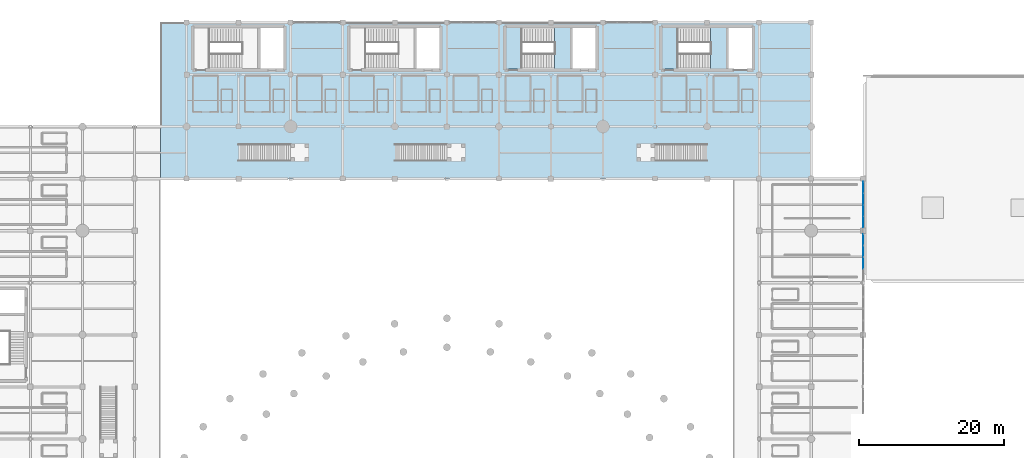
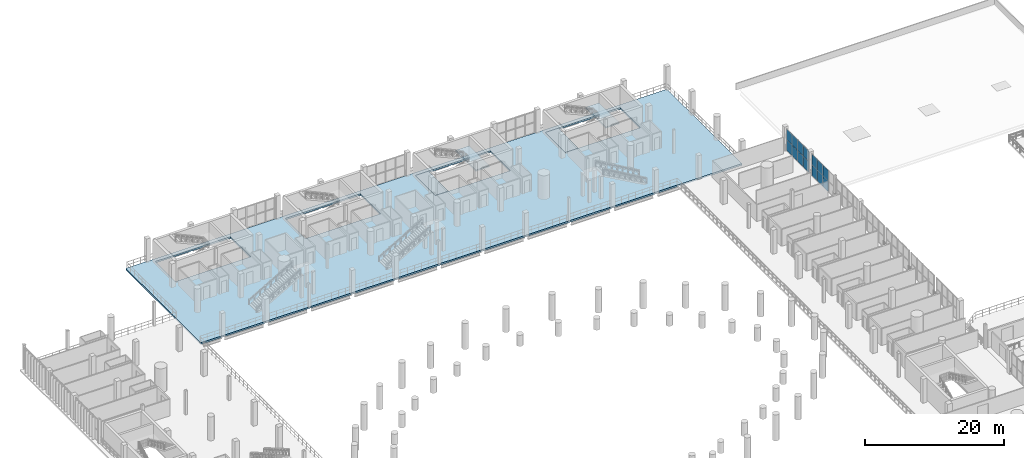
# One storey, part 95 of 130: 14 plates, 5 slabs, 4 elements without a shape of their own.
"""IFC4 building model written with IfcOpenShell, lengths in metres."""

from ifc_helpers import new_model, si_unit, direction, frame, origin, origin_2d, place, context, subcontext, project, spatial, polyline, rectangle, outline, extrude, material, layer, layer_set, type_object, element, aggregate, save


model = new_model("IFC4")

# Units and contexts
model_context = context("Model", 3, precision=1e-05, world=origin(), true_north=direction((0.0, 1.0)))
body_context = subcontext(model_context, "Body", "Model", "MODEL_VIEW")
ifc_project = project(units=[si_unit("LENGTHUNIT", "METRE"), si_unit("AREAUNIT", "SQUARE_METRE"), si_unit("VOLUMEUNIT", "CUBIC_METRE"), si_unit("PLANEANGLEUNIT", "RADIAN"), si_unit("MASSUNIT", "GRAM", prefix="KILO")], contexts=[model_context])

# Site, building, storey
site_placement = place(None, origin())
site = spatial("IfcSite", under=ifc_project, at=site_placement, CompositionType="ELEMENT")
building_placement = place(site_placement, origin())
building = spatial("IfcBuilding", under=site, at=building_placement, Name="Qandorah Velis Arena", CompositionType="ELEMENT")
storey_placement = place(building_placement, frame((0.0, 0.0, 9.60009765625)))
storey = spatial("IfcBuildingStorey", under=building, at=storey_placement, Name="L02", CompositionType="ELEMENT", Elevation=9.60009765625)

# Curtain wall, plates
ifc_material_1 = material(Name="Solar-control low-E double glazing", Category="glass")
curtain_wall_type_1 = type_object("IfcCurtainWallType", Name="ARC-CW-SYS06", PredefinedType="USERDEFINED", material=ifc_material_1)
curtain_wall_1_placement = place(storey_placement, origin())
curtain_wall_1 = element("IfcCurtainWall", 1, at=curtain_wall_1_placement, inside=storey, type_object=curtain_wall_type_1, Name="Unitised curtain wall L02-174", ObjectType="UNITISED CURTAIN WALL", PredefinedType="USERDEFINED")
ifc_layer_1 = layer(ifc_material_1, 0.02392578125)
ifc_layer_set_1 = layer_set([ifc_layer_1], Name="Solar-control low-E double glazing")
plate_type_1 = type_object("IfcPlateType", Name="ARC-CWP-GLZ24", PredefinedType="CURTAIN_PANEL", material=ifc_layer_set_1)
plate_1_placement = place(storey_placement, frame((122.39990234375, 96.33740234375, 0.0546875), z_axis=(0.0, 0.0, 1.0), x_axis=(0.0, 1.0, 0.0)))
plate_1 = element("IfcPlate", 2, at=plate_1_placement, type_object=plate_type_1, Name="CW06 panel 2.1", PredefinedType="CURTAIN_PANEL", context=body_context, shape_type="SweptSolid", body=[
    extrude(rectangle(XDim=1.580078125, YDim=0.02392578125, at=origin_2d()), origin(), (0.0, 0.0, 1.0), 1.862548828125),
])
plate_2_placement = place(storey_placement, frame((122.39990234375, 96.33740234375, 1.96240234375), z_axis=(0.0, 0.0, 1.0), x_axis=(0.0, 1.0, 0.0)))
plate_2 = element("IfcPlate", 3, at=plate_2_placement, type_object=plate_type_1, Name="CW06 panel 2.2", PredefinedType="CURTAIN_PANEL", context=body_context, shape_type="SweptSolid", body=[
    extrude(rectangle(XDim=1.580078125, YDim=0.02392578125, at=origin_2d()), origin(), (0.0, 0.0, 1.0), 1.862548828125),
])
plate_3_placement = place(storey_placement, frame((122.39990234375, 97.96240234375, 0.0546875), z_axis=(0.0, 0.0, 1.0), x_axis=(0.0, 1.0, 0.0)))
plate_3 = element("IfcPlate", 4, at=plate_3_placement, type_object=plate_type_1, Name="CW06 panel 3.1", PredefinedType="CURTAIN_PANEL", context=body_context, shape_type="SweptSolid", body=[
    extrude(rectangle(XDim=1.580078125, YDim=0.02392578125, at=origin_2d()), origin(), (0.0, 0.0, 1.0), 1.862548828125),
])
plate_4_placement = place(storey_placement, frame((122.39990234375, 97.96240234375, 1.96240234375), z_axis=(0.0, 0.0, 1.0), x_axis=(0.0, 1.0, 0.0)))
plate_4 = element("IfcPlate", 5, at=plate_4_placement, type_object=plate_type_1, Name="CW06 panel 3.2", PredefinedType="CURTAIN_PANEL", context=body_context, shape_type="SweptSolid", body=[
    extrude(rectangle(XDim=1.580078125, YDim=0.02392578125, at=origin_2d()), origin(), (0.0, 0.0, 1.0), 1.862548828125),
])
plate_5_placement = place(storey_placement, frame((122.39990234375, 99.5712890625, 0.0546875), z_axis=(0.0, 0.0, 1.0), x_axis=(0.0, 1.0, 0.0)))
plate_5 = element("IfcPlate", 6, at=plate_5_placement, type_object=plate_type_1, Name="CW06 panel 4.1", PredefinedType="CURTAIN_PANEL", context=body_context, shape_type="SweptSolid", body=[
    extrude(rectangle(XDim=1.547607421875, YDim=0.02392578125, at=origin_2d()), origin(), (0.0, 0.0, 1.0), 1.862548828125),
])
plate_6_placement = place(storey_placement, frame((122.39990234375, 99.5712890625, 1.96240234375), z_axis=(0.0, 0.0, 1.0), x_axis=(0.0, 1.0, 0.0)))
plate_6 = element("IfcPlate", 7, at=plate_6_placement, type_object=plate_type_1, Name="CW06 panel 4.2", PredefinedType="CURTAIN_PANEL", context=body_context, shape_type="SweptSolid", body=[
    extrude(rectangle(XDim=1.547607421875, YDim=0.02392578125, at=origin_2d()), origin(), (0.0, 0.0, 1.0), 1.862548828125),
])
aggregate(curtain_wall_1, [plate_1, plate_2, plate_3, plate_4, plate_5, plate_6])

curtain_wall_type_2 = type_object("IfcCurtainWallType", Name="ARC-CW-SYS07", PredefinedType="USERDEFINED", material=ifc_material_1)
curtain_wall_2_placement = place(storey_placement, origin())
curtain_wall_2 = element("IfcCurtainWall", 8, at=curtain_wall_2_placement, inside=storey, type_object=curtain_wall_type_2, Name="Unitised curtain wall L02-175", ObjectType="UNITISED CURTAIN WALL", PredefinedType="USERDEFINED")
ifc_layer_2 = layer(ifc_material_1, 0.0439453125)
ifc_layer_set_2 = layer_set([ifc_layer_2], Name="Solar-control low-E double glazing")
plate_type_2 = type_object("IfcPlateType", Name="ARC-CWP-SPN44", PredefinedType="CURTAIN_PANEL", material=ifc_layer_set_2)
plate_7_placement = place(storey_placement, frame((122.39990234375, 102.01806640625, 0.0498046875), z_axis=(0.0, 0.0, 1.0), x_axis=(0.0, 1.0, 0.0)))
plate_7 = element("IfcPlate", 9, at=plate_7_placement, type_object=plate_type_2, Name="CW07 panel 1.1", PredefinedType="CURTAIN_PANEL", context=body_context, shape_type="SweptSolid", body=[
    extrude(rectangle(XDim=1.5361328125, YDim=0.0439453125, at=origin_2d()), origin(), (0.0, 0.0, 1.0), 1.8701171875),
])
plate_8_placement = place(storey_placement, frame((122.39990234375, 102.01806640625, 1.9599609375), z_axis=(0.0, 0.0, 1.0), x_axis=(0.0, 1.0, 0.0)))
plate_8 = element("IfcPlate", 10, at=plate_8_placement, type_object=plate_type_2, Name="CW07 panel 1.2", PredefinedType="CURTAIN_PANEL", context=body_context, shape_type="SweptSolid", body=[
    extrude(rectangle(XDim=1.5361328125, YDim=0.0439453125, at=origin_2d()), origin(), (0.0, 0.0, 1.0), 1.8701171875),
])
plate_9_placement = place(storey_placement, frame((122.39990234375, 103.609375, 0.0498046875), z_axis=(0.0, 0.0, 1.0), x_axis=(0.0, 1.0, 0.0)))
plate_9 = element("IfcPlate", 11, at=plate_9_placement, type_object=plate_type_2, Name="CW07 panel 2.1", PredefinedType="CURTAIN_PANEL", context=body_context, shape_type="SweptSolid", body=[
    extrude(rectangle(XDim=1.566162109375, YDim=0.0439453125, at=origin_2d()), origin(), (0.0, 0.0, 1.0), 1.8701171875),
])
plate_10_placement = place(storey_placement, frame((122.39990234375, 103.609375, 1.9599609375), z_axis=(0.0, 0.0, 1.0), x_axis=(0.0, 1.0, 0.0)))
plate_10 = element("IfcPlate", 12, at=plate_10_placement, type_object=plate_type_2, Name="CW07 panel 2.2", PredefinedType="CURTAIN_PANEL", context=body_context, shape_type="SweptSolid", body=[
    extrude(rectangle(XDim=1.566162109375, YDim=0.0439453125, at=origin_2d()), origin(), (0.0, 0.0, 1.0), 1.8701171875),
])
plate_11_placement = place(storey_placement, frame((122.39990234375, 105.215576171875, 0.0498046875), z_axis=(0.0, 0.0, 1.0), x_axis=(0.0, 1.0, 0.0)))
plate_11 = element("IfcPlate", 13, at=plate_11_placement, type_object=plate_type_2, Name="CW07 panel 3.1", PredefinedType="CURTAIN_PANEL", context=body_context, shape_type="SweptSolid", body=[
    extrude(rectangle(XDim=1.566162109375, YDim=0.0439453125, at=origin_2d()), origin(), (0.0, 0.0, 1.0), 1.8701171875),
])
plate_12_placement = place(storey_placement, frame((122.39990234375, 105.215576171875, 1.9599609375), z_axis=(0.0, 0.0, 1.0), x_axis=(0.0, 1.0, 0.0)))
plate_12 = element("IfcPlate", 14, at=plate_12_placement, type_object=plate_type_2, Name="CW07 panel 3.2", PredefinedType="CURTAIN_PANEL", context=body_context, shape_type="SweptSolid", body=[
    extrude(rectangle(XDim=1.566162109375, YDim=0.0439453125, at=origin_2d()), origin(), (0.0, 0.0, 1.0), 1.8701171875),
])
plate_13_placement = place(storey_placement, frame((122.39990234375, 106.806884765625, 0.0498046875), z_axis=(0.0, 0.0, 1.0), x_axis=(0.0, 1.0, 0.0)))
plate_13 = element("IfcPlate", 15, at=plate_13_placement, type_object=plate_type_2, Name="CW07 panel 4.1", PredefinedType="CURTAIN_PANEL", context=body_context, shape_type="SweptSolid", body=[
    extrude(rectangle(XDim=1.5361328125, YDim=0.0439453125, at=origin_2d()), origin(), (0.0, 0.0, 1.0), 1.8701171875),
])
plate_14_placement = place(storey_placement, frame((122.39990234375, 106.806884765625, 1.9599609375), z_axis=(0.0, 0.0, 1.0), x_axis=(0.0, 1.0, 0.0)))
plate_14 = element("IfcPlate", 16, at=plate_14_placement, type_object=plate_type_2, Name="CW07 panel 4.2", PredefinedType="CURTAIN_PANEL", context=body_context, shape_type="SweptSolid", body=[
    extrude(rectangle(XDim=1.5361328125, YDim=0.0439453125, at=origin_2d()), origin(), (0.0, 0.0, 1.0), 1.8701171875),
])
aggregate(curtain_wall_2, [plate_7, plate_8, plate_9, plate_10, plate_11, plate_12, plate_13, plate_14])

# Slabs
ifc_material_2 = material(Name="Concrete C40/50", Category="concrete")
ifc_layer_3 = layer(ifc_material_2, 0.280029296875)
ifc_layer_set_3 = layer_set([ifc_layer_3], Name="Concrete C40/50")
slab_type_1 = type_object("IfcSlabType", Name="STR-SLB-FL280", PredefinedType="FLOOR", material=ifc_layer_set_3)
slab_1_placement = place(storey_placement, frame((0.0, 0.0, -0.280029296875)))
element("IfcSlab", 17, at=slab_1_placement, inside=storey, type_object=slab_type_1, Name="Structural floor slab L02_NORTH_SUITES", PredefinedType="FLOOR", context=body_context, shape_type="SweptSolid", body=[
    extrude(outline(polyline([(115.199951171875, 108.0), (25.199951171875, 108.0), (25.199951171875, 129.60009765625), (115.199951171875, 129.60009765625), (115.199951171875, 108.0)]), holes=[polyline([(29.7451171875, 123.14501953125), (31.955078125, 123.14501953125), (42.2548828125, 123.14501953125), (42.2548828125, 128.955078125), (31.955078125, 128.955078125), (31.955078125, 128.955078125), (29.7451171875, 128.955078125), (29.7451171875, 128.955078125), (29.7451171875, 123.14501953125)]), polyline([(72.945068359375, 128.955078125), (72.945068359375, 123.14501953125), (75.155029296875, 123.14501953125), (85.455078125, 123.14501953125), (85.455078125, 128.955078125), (75.155029296875, 128.955078125), (75.155029296875, 128.955078125), (72.945068359375, 128.955078125), (72.945068359375, 128.955078125)]), polyline([(51.344970703125, 128.955078125), (51.344970703125, 123.14501953125), (51.344970703125, 123.14501953125), (53.554931640625, 123.14501953125), (63.85498046875, 123.14501953125), (63.85498046875, 128.955078125), (53.554931640625, 128.955078125), (53.554931640625, 128.955078125), (51.344970703125, 128.955078125)]), polyline([(96.7548828125, 128.955078125), (94.544921875, 128.955078125), (94.544921875, 128.955078125), (94.544921875, 123.14501953125), (96.7548828125, 123.14501953125), (107.054931640625, 123.14501953125), (107.054931640625, 128.955078125), (96.7548828125, 128.955078125), (96.7548828125, 128.955078125)])]), origin(), (0.0, 0.0, 1.0), 0.280029296875),
])
ifc_layer_4 = layer(ifc_material_2, 0.219970703125)
ifc_layer_set_4 = layer_set([ifc_layer_4], Name="Concrete C40/50")
slab_type_2 = type_object("IfcSlabType", Name="STR-SLB-LND220", PredefinedType="LANDING", material=ifc_layer_set_4)
slab_2_placement = place(storey_placement, frame((0.0, 0.0, -0.22021484375)))
element("IfcSlab", 18, at=slab_2_placement, inside=storey, type_object=slab_type_2, Name="Stair ST4 storey landing slab L02", PredefinedType="LANDING", context=body_context, shape_type="SweptSolid", body=[
    extrude(outline(polyline([(72.949951171875, 123.14990234375), (75.14990234375, 123.14990234375), (75.14990234375, 128.949951171875), (72.949951171875, 128.949951171875), (72.949951171875, 123.14990234375)])), origin(), (0.0, 0.0, 1.0), 0.22021484375),
])

# Stair, slab
stair_type = type_object("IfcStairType", Name="ARC-ST-CORE42", PredefinedType="HALF_TURN_STAIR", material=ifc_material_2)
stair_1_placement = place(storey_placement, origin())
stair_1 = element("IfcStair", 19, at=stair_1_placement, inside=storey, type_object=stair_type, Name="Protected exit stair ST4 (L02)", PredefinedType="HALF_TURN_STAIR")
slab_3_placement = place(storey_placement, frame((0.0, 0.0, 1.8798828125)))
slab_3 = element("IfcSlab", 20, at=slab_3_placement, type_object=slab_type_2, Name="ST4 landing 1", PredefinedType="LANDING", context=body_context, shape_type="SweptSolid", body=[
    extrude(outline(polyline([(79.68603515625, 123.14990234375), (81.93603515625, 123.14990234375), (81.93603515625, 128.949951171875), (79.68603515625, 128.949951171875), (79.68603515625, 123.14990234375)])), origin(), (0.0, 0.0, 1.0), 0.219970703125),
])
aggregate(stair_1, [slab_3])

# Slab
slab_4_placement = place(storey_placement, frame((0.0, 0.0, -0.22021484375)))
element("IfcSlab", 21, at=slab_4_placement, inside=storey, type_object=slab_type_2, Name="Stair ST12 storey landing slab L02", PredefinedType="LANDING", context=body_context, shape_type="SweptSolid", body=[
    extrude(outline(polyline([(94.550048828125, 123.14990234375), (96.75, 123.14990234375), (96.75, 128.949951171875), (94.550048828125, 128.949951171875), (94.550048828125, 123.14990234375)])), origin(), (0.0, 0.0, 1.0), 0.22021484375),
])

# Stair, slab
stair_2_placement = place(storey_placement, origin())
stair_2 = element("IfcStair", 22, at=stair_2_placement, inside=storey, type_object=stair_type, Name="Protected exit stair ST12 (L02)", PredefinedType="HALF_TURN_STAIR")
slab_5_placement = place(storey_placement, frame((0.0, 0.0, 1.8798828125)))
slab_5 = element("IfcSlab", 23, at=slab_5_placement, type_object=slab_type_2, Name="ST12 landing 1", PredefinedType="LANDING", context=body_context, shape_type="SweptSolid", body=[
    extrude(outline(polyline([(101.285888671875, 123.14990234375), (103.535888671875, 123.14990234375), (103.535888671875, 128.949951171875), (101.285888671875, 128.949951171875), (101.285888671875, 123.14990234375)])), origin(), (0.0, 0.0, 1.0), 0.219970703125),
])
aggregate(stair_2, [slab_5])

save(model, "model.ifc")
